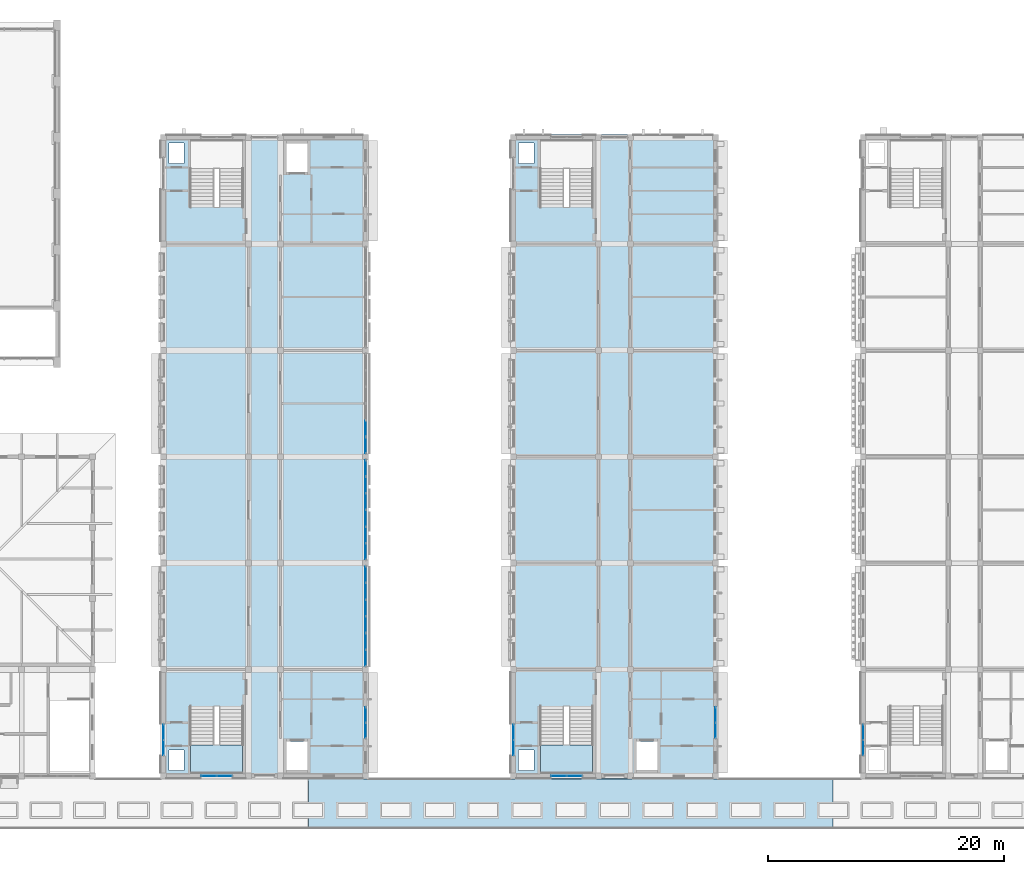
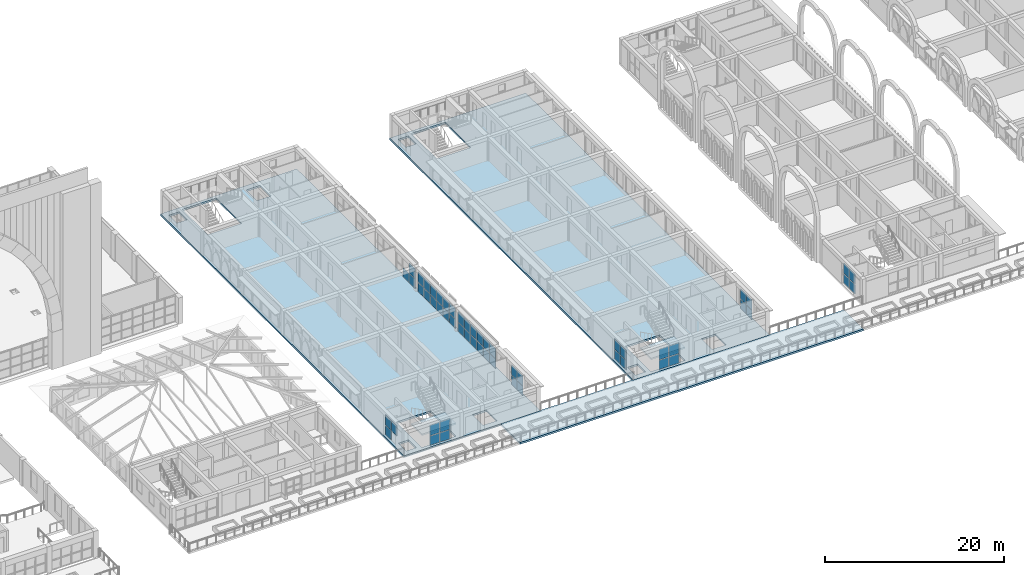
# One storey, part 37 of 82: 54 plates, 5 slabs, 12 elements without a shape of their own.
"""IFC4 building model written with IfcOpenShell, lengths in metres."""

from ifc_helpers import new_model, si_unit, direction, frame, origin, origin_2d, place, context, subcontext, project, spatial, polyline, rectangle, outline, extrude, material, layer, layer_set, type_object, element, aggregate, save


model = new_model("IFC4")

# Units and contexts
model_context = context("Model", 3, precision=1e-05, world=origin(), true_north=direction((0.0, 1.0)))
body_context = subcontext(model_context, "Body", "Model", "MODEL_VIEW")
ifc_project = project(units=[si_unit("LENGTHUNIT", "METRE"), si_unit("AREAUNIT", "SQUARE_METRE"), si_unit("VOLUMEUNIT", "CUBIC_METRE"), si_unit("PLANEANGLEUNIT", "RADIAN"), si_unit("MASSUNIT", "GRAM", prefix="KILO")], contexts=[model_context])

# Site, building, storey
site_placement = place(None, origin())
site = spatial("IfcSite", under=ifc_project, at=site_placement, CompositionType="ELEMENT")
building_placement = place(site_placement, origin())
building = spatial("IfcBuilding", under=site, at=building_placement, Name="Elbe Cascade School", CompositionType="ELEMENT")
storey_placement = place(building_placement, frame((0.0, 0.0, 4.5)))
storey = spatial("IfcBuildingStorey", under=building, at=storey_placement, Name="L01", CompositionType="ELEMENT", Elevation=4.5)

# Stair, slab
ifc_material_1 = material(Name="Concrete C30/37", Category="concrete")
stair_type = type_object("IfcStairType", Name="Bar stair RC 150", PredefinedType="HALF_TURN_STAIR", material=ifc_material_1)
stair_1_placement = place(storey_placement, origin())
stair_1 = element("IfcStair", 1, at=stair_1_placement, inside=storey, type_object=stair_type, Name="Stair A1.S", PredefinedType="HALF_TURN_STAIR")
ifc_material_2 = material(Name="Concrete C30/37", Category="concrete")
ifc_layer_1 = layer(ifc_material_2, 0.199951171875)
ifc_layer_set_1 = layer_set([ifc_layer_1], Name="Concrete C30/37")
slab_type_1 = type_object("IfcSlabType", Name="Bar stair landing RC 200", PredefinedType="LANDING", material=ifc_layer_set_1)
slab_1_placement = place(storey_placement, frame((0.0, 0.0, 1.60009765625)))
slab_1 = element("IfcSlab", 2, at=slab_1_placement, type_object=slab_type_1, Name="ST3 landing 1", PredefinedType="LANDING", context=body_context, shape_type="SweptSolid", body=[
    extrude(outline(polyline([(71.300048828125, 6.179931640625), (75.699951171875, 6.179931640625), (75.699951171875, 8.60009765625), (71.300048828125, 8.60009765625), (71.300048828125, 6.179931640625)])), origin(), (0.0, 0.0, 1.0), 0.199951171875),
])
aggregate(stair_1, [slab_1])

stair_2_placement = place(storey_placement, origin())
stair_2 = element("IfcStair", 3, at=stair_2_placement, inside=storey, type_object=stair_type, Name="Stair B1.S", PredefinedType="HALF_TURN_STAIR")
slab_2_placement = place(storey_placement, frame((0.0, 0.0, 1.60009765625)))
slab_2 = element("IfcSlab", 4, at=slab_2_placement, type_object=slab_type_1, Name="ST3 landing 1", PredefinedType="LANDING", context=body_context, shape_type="SweptSolid", body=[
    extrude(outline(polyline([(100.89990234375, 6.179931640625), (105.300048828125, 6.179931640625), (105.300048828125, 8.60009765625), (100.89990234375, 8.60009765625), (100.89990234375, 6.179931640625)])), origin(), (0.0, 0.0, 1.0), 0.199951171875),
])
aggregate(stair_2, [slab_2])

# Curtain wall, plates
ifc_material_3 = material(Name="Aluminium frame with double glazing, bronze anodised", Category="aluminium")
ifc_layer_2 = layer(ifc_material_3, 0.159912109375)
ifc_layer_set_2 = layer_set([ifc_layer_2], Name="Aluminium frame with double glazing, bronze anodised")
curtain_wall_type_1 = type_object("IfcCurtainWallType", Name="Bars envelope Curtain wall, aluminium, bronze anodised, storey-high slot", PredefinedType="NOTDEFINED", material=ifc_layer_set_2)
curtain_wall_1_placement = place(storey_placement, origin())
curtain_wall_1 = element("IfcCurtainWall", 5, at=curtain_wall_1_placement, inside=storey, type_object=curtain_wall_type_1, Name="Curtain wall CW4 A.L01.w1", PredefinedType="NOTDEFINED")
ifc_material_4 = material(Name="Glass - double glazed low-E", Category="glass")
ifc_layer_3 = layer(ifc_material_4, 0.028076171875)
ifc_layer_set_3 = layer_set([ifc_layer_3], Name="Glass - double glazed low-E")
plate_type_1 = type_object("IfcPlateType", Name="Bars envelope Curtain wall glazing panel 28 mm, double glazed, storey-high slot", PredefinedType="CURTAIN_PANEL", material=ifc_layer_set_3)
plate_1_placement = place(storey_placement, frame((69.0, 8.3798828125, 1.3798828125), z_axis=(0.0, 0.0, 1.0), x_axis=(0.0, 1.0, 0.0)))
plate_1 = element("IfcPlate", 6, at=plate_1_placement, type_object=plate_type_1, Name="CW4 panel 1.2", PredefinedType="CURTAIN_PANEL", context=body_context, shape_type="SweptSolid", body=[
    extrude(rectangle(XDim=1.260009765625, YDim=0.028076171875, at=origin_2d()), origin(), (0.0, 0.0, 1.0), 1.409912109375),
])
plate_2_placement = place(storey_placement, frame((69.0, 9.699951171875, 0.06005859375), z_axis=(0.0, 0.0, 1.0), x_axis=(0.0, 1.0, 0.0)))
plate_2 = element("IfcPlate", 7, at=plate_2_placement, type_object=plate_type_1, Name="CW4 panel 2.1", PredefinedType="CURTAIN_PANEL", context=body_context, shape_type="SweptSolid", body=[
    extrude(rectangle(XDim=1.260009765625, YDim=0.028076171875, at=origin_2d()), origin(), (0.0, 0.0, 1.0), 1.260009765625),
])
plate_3_placement = place(storey_placement, frame((69.0, 9.699951171875, 1.3798828125), z_axis=(0.0, 0.0, 1.0), x_axis=(0.0, 1.0, 0.0)))
plate_3 = element("IfcPlate", 8, at=plate_3_placement, type_object=plate_type_1, Name="CW4 panel 2.2", PredefinedType="CURTAIN_PANEL", context=body_context, shape_type="SweptSolid", body=[
    extrude(rectangle(XDim=1.260009765625, YDim=0.028076171875, at=origin_2d()), origin(), (0.0, 0.0, 1.0), 1.409912109375),
])
aggregate(curtain_wall_1, [plate_1, plate_2, plate_3])

curtain_wall_2_placement = place(storey_placement, origin())
curtain_wall_2 = element("IfcCurtainWall", 9, at=curtain_wall_2_placement, inside=storey, type_object=curtain_wall_type_1, Name="Curtain wall CW4 A.L01.e1", PredefinedType="NOTDEFINED")
plate_4_placement = place(storey_placement, frame((86.10009765625, 11.159912109375, 0.06005859375), z_axis=(0.0, 0.0, 1.0), x_axis=(0.0, -1.0, 0.0)))
plate_4 = element("IfcPlate", 10, at=plate_4_placement, type_object=plate_type_1, Name="CW4 panel 1.1", PredefinedType="CURTAIN_PANEL", context=body_context, shape_type="SweptSolid", body=[
    extrude(rectangle(XDim=1.260009765625, YDim=0.028076171875, at=origin_2d()), origin(), (0.0, 0.0, 1.0), 1.260009765625),
])
plate_5_placement = place(storey_placement, frame((86.10009765625, 11.159912109375, 1.3798828125), z_axis=(0.0, 0.0, 1.0), x_axis=(0.0, -1.0, 0.0)))
plate_5 = element("IfcPlate", 11, at=plate_5_placement, type_object=plate_type_1, Name="CW4 panel 1.2", PredefinedType="CURTAIN_PANEL", context=body_context, shape_type="SweptSolid", body=[
    extrude(rectangle(XDim=1.260009765625, YDim=0.028076171875, at=origin_2d()), origin(), (0.0, 0.0, 1.0), 1.409912109375),
])
plate_6_placement = place(storey_placement, frame((86.10009765625, 9.840087890625, 0.06005859375), z_axis=(0.0, 0.0, 1.0), x_axis=(0.0, -1.0, 0.0)))
plate_6 = element("IfcPlate", 12, at=plate_6_placement, type_object=plate_type_1, Name="CW4 panel 2.1", PredefinedType="CURTAIN_PANEL", context=body_context, shape_type="SweptSolid", body=[
    extrude(rectangle(XDim=1.260009765625, YDim=0.028076171875, at=origin_2d()), origin(), (0.0, 0.0, 1.0), 1.260009765625),
])
plate_7_placement = place(storey_placement, frame((86.10009765625, 9.840087890625, 1.3798828125), z_axis=(0.0, 0.0, 1.0), x_axis=(0.0, -1.0, 0.0)))
plate_7 = element("IfcPlate", 13, at=plate_7_placement, type_object=plate_type_1, Name="CW4 panel 2.2", PredefinedType="CURTAIN_PANEL", context=body_context, shape_type="SweptSolid", body=[
    extrude(rectangle(XDim=1.260009765625, YDim=0.028076171875, at=origin_2d()), origin(), (0.0, 0.0, 1.0), 1.409912109375),
])
aggregate(curtain_wall_2, [plate_4, plate_5, plate_6, plate_7])

curtain_wall_3_placement = place(storey_placement, origin())
curtain_wall_3 = element("IfcCurtainWall", 14, at=curtain_wall_3_placement, inside=storey, type_object=curtain_wall_type_1, Name="Curtain wall CW4 A.L01.s1", PredefinedType="NOTDEFINED")
plate_8_placement = place(storey_placement, frame((74.159912109375, 6.0, 0.06005859375), z_axis=(0.0, 0.0, 1.0), x_axis=(-1.0, 0.0, 0.0)))
plate_8 = element("IfcPlate", 15, at=plate_8_placement, type_object=plate_type_1, Name="CW4 panel 1.1", PredefinedType="CURTAIN_PANEL", context=body_context, shape_type="SweptSolid", body=[
    extrude(rectangle(XDim=1.260009765625, YDim=0.028076171875, at=origin_2d()), origin(), (0.0, 0.0, 1.0), 1.260009765625),
])
plate_9_placement = place(storey_placement, frame((74.159912109375, 6.0, 1.380126953125), z_axis=(0.0, 0.0, 1.0), x_axis=(-1.0, 0.0, 0.0)))
plate_9 = element("IfcPlate", 16, at=plate_9_placement, type_object=plate_type_1, Name="CW4 panel 1.2", PredefinedType="CURTAIN_PANEL", context=body_context, shape_type="SweptSolid", body=[
    extrude(rectangle(XDim=1.260009765625, YDim=0.028076171875, at=origin_2d()), origin(), (0.0, 0.0, 1.0), 1.4599609375),
])
plate_10_placement = place(storey_placement, frame((72.840087890625, 6.0, 0.06005859375), z_axis=(0.0, 0.0, 1.0), x_axis=(-1.0, 0.0, 0.0)))
plate_10 = element("IfcPlate", 17, at=plate_10_placement, type_object=plate_type_1, Name="CW4 panel 2.1", PredefinedType="CURTAIN_PANEL", context=body_context, shape_type="SweptSolid", body=[
    extrude(rectangle(XDim=1.260009765625, YDim=0.028076171875, at=origin_2d()), origin(), (0.0, 0.0, 1.0), 1.260009765625),
])
plate_11_placement = place(storey_placement, frame((72.840087890625, 6.0, 1.380126953125), z_axis=(0.0, 0.0, 1.0), x_axis=(-1.0, 0.0, 0.0)))
plate_11 = element("IfcPlate", 18, at=plate_11_placement, type_object=plate_type_1, Name="CW4 panel 2.2", PredefinedType="CURTAIN_PANEL", context=body_context, shape_type="SweptSolid", body=[
    extrude(rectangle(XDim=1.260009765625, YDim=0.028076171875, at=origin_2d()), origin(), (0.0, 0.0, 1.0), 1.4599609375),
])
aggregate(curtain_wall_3, [plate_8, plate_9, plate_10, plate_11])

curtain_wall_4_placement = place(storey_placement, origin())
curtain_wall_4 = element("IfcCurtainWall", 19, at=curtain_wall_4_placement, inside=storey, type_object=curtain_wall_type_1, Name="Curtain wall CW4 B.L01.w1", PredefinedType="NOTDEFINED")
plate_12_placement = place(storey_placement, frame((98.60009765625, 8.3798828125, 0.06005859375), z_axis=(0.0, 0.0, 1.0), x_axis=(0.0, 1.0, 0.0)))
plate_12 = element("IfcPlate", 20, at=plate_12_placement, type_object=plate_type_1, Name="CW4 panel 1.1", PredefinedType="CURTAIN_PANEL", context=body_context, shape_type="SweptSolid", body=[
    extrude(rectangle(XDim=1.260009765625, YDim=0.028076171875, at=origin_2d()), origin(), (0.0, 0.0, 1.0), 1.260009765625),
])
plate_13_placement = place(storey_placement, frame((98.60009765625, 8.3798828125, 1.3798828125), z_axis=(0.0, 0.0, 1.0), x_axis=(0.0, 1.0, 0.0)))
plate_13 = element("IfcPlate", 21, at=plate_13_placement, type_object=plate_type_1, Name="CW4 panel 1.2", PredefinedType="CURTAIN_PANEL", context=body_context, shape_type="SweptSolid", body=[
    extrude(rectangle(XDim=1.260009765625, YDim=0.028076171875, at=origin_2d()), origin(), (0.0, 0.0, 1.0), 1.409912109375),
])
plate_14_placement = place(storey_placement, frame((98.60009765625, 9.699951171875, 0.06005859375), z_axis=(0.0, 0.0, 1.0), x_axis=(0.0, 1.0, 0.0)))
plate_14 = element("IfcPlate", 22, at=plate_14_placement, type_object=plate_type_1, Name="CW4 panel 2.1", PredefinedType="CURTAIN_PANEL", context=body_context, shape_type="SweptSolid", body=[
    extrude(rectangle(XDim=1.260009765625, YDim=0.028076171875, at=origin_2d()), origin(), (0.0, 0.0, 1.0), 1.260009765625),
])
plate_15_placement = place(storey_placement, frame((98.60009765625, 9.699951171875, 1.3798828125), z_axis=(0.0, 0.0, 1.0), x_axis=(0.0, 1.0, 0.0)))
plate_15 = element("IfcPlate", 23, at=plate_15_placement, type_object=plate_type_1, Name="CW4 panel 2.2", PredefinedType="CURTAIN_PANEL", context=body_context, shape_type="SweptSolid", body=[
    extrude(rectangle(XDim=1.260009765625, YDim=0.028076171875, at=origin_2d()), origin(), (0.0, 0.0, 1.0), 1.409912109375),
])
aggregate(curtain_wall_4, [plate_12, plate_13, plate_14, plate_15])

curtain_wall_5_placement = place(storey_placement, origin())
curtain_wall_5 = element("IfcCurtainWall", 24, at=curtain_wall_5_placement, inside=storey, type_object=curtain_wall_type_1, Name="Curtain wall CW4 B.L01.e1", PredefinedType="NOTDEFINED")
plate_16_placement = place(storey_placement, frame((115.699951171875, 11.159912109375, 0.06005859375), z_axis=(0.0, 0.0, 1.0), x_axis=(0.0, -1.0, 0.0)))
plate_16 = element("IfcPlate", 25, at=plate_16_placement, type_object=plate_type_1, Name="CW4 panel 1.1", PredefinedType="CURTAIN_PANEL", context=body_context, shape_type="SweptSolid", body=[
    extrude(rectangle(XDim=1.260009765625, YDim=0.028076171875, at=origin_2d()), origin(), (0.0, 0.0, 1.0), 1.260009765625),
])
plate_17_placement = place(storey_placement, frame((115.699951171875, 11.159912109375, 1.3798828125), z_axis=(0.0, 0.0, 1.0), x_axis=(0.0, -1.0, 0.0)))
plate_17 = element("IfcPlate", 26, at=plate_17_placement, type_object=plate_type_1, Name="CW4 panel 1.2", PredefinedType="CURTAIN_PANEL", context=body_context, shape_type="SweptSolid", body=[
    extrude(rectangle(XDim=1.260009765625, YDim=0.028076171875, at=origin_2d()), origin(), (0.0, 0.0, 1.0), 1.409912109375),
])
plate_18_placement = place(storey_placement, frame((115.699951171875, 9.840087890625, 0.06005859375), z_axis=(0.0, 0.0, 1.0), x_axis=(0.0, -1.0, 0.0)))
plate_18 = element("IfcPlate", 27, at=plate_18_placement, type_object=plate_type_1, Name="CW4 panel 2.1", PredefinedType="CURTAIN_PANEL", context=body_context, shape_type="SweptSolid", body=[
    extrude(rectangle(XDim=1.260009765625, YDim=0.028076171875, at=origin_2d()), origin(), (0.0, 0.0, 1.0), 1.260009765625),
])
plate_19_placement = place(storey_placement, frame((115.699951171875, 9.840087890625, 1.3798828125), z_axis=(0.0, 0.0, 1.0), x_axis=(0.0, -1.0, 0.0)))
plate_19 = element("IfcPlate", 28, at=plate_19_placement, type_object=plate_type_1, Name="CW4 panel 2.2", PredefinedType="CURTAIN_PANEL", context=body_context, shape_type="SweptSolid", body=[
    extrude(rectangle(XDim=1.260009765625, YDim=0.028076171875, at=origin_2d()), origin(), (0.0, 0.0, 1.0), 1.409912109375),
])
aggregate(curtain_wall_5, [plate_16, plate_17, plate_18, plate_19])

curtain_wall_6_placement = place(storey_placement, origin())
curtain_wall_6 = element("IfcCurtainWall", 29, at=curtain_wall_6_placement, inside=storey, type_object=curtain_wall_type_1, Name="Curtain wall CW4 B.L01.s1", PredefinedType="NOTDEFINED")
plate_20_placement = place(storey_placement, frame((103.760009765625, 6.0, 0.06005859375), z_axis=(0.0, 0.0, 1.0), x_axis=(-1.0, 0.0, 0.0)))
plate_20 = element("IfcPlate", 30, at=plate_20_placement, type_object=plate_type_1, Name="CW4 panel 1.1", PredefinedType="CURTAIN_PANEL", context=body_context, shape_type="SweptSolid", body=[
    extrude(rectangle(XDim=1.260009765625, YDim=0.028076171875, at=origin_2d()), origin(), (0.0, 0.0, 1.0), 1.260009765625),
])
plate_21_placement = place(storey_placement, frame((103.760009765625, 6.0, 1.380126953125), z_axis=(0.0, 0.0, 1.0), x_axis=(-1.0, 0.0, 0.0)))
plate_21 = element("IfcPlate", 31, at=plate_21_placement, type_object=plate_type_1, Name="CW4 panel 1.2", PredefinedType="CURTAIN_PANEL", context=body_context, shape_type="SweptSolid", body=[
    extrude(rectangle(XDim=1.260009765625, YDim=0.028076171875, at=origin_2d()), origin(), (0.0, 0.0, 1.0), 1.4599609375),
])
plate_22_placement = place(storey_placement, frame((102.43994140625, 6.0, 0.06005859375), z_axis=(0.0, 0.0, 1.0), x_axis=(-1.0, 0.0, 0.0)))
plate_22 = element("IfcPlate", 32, at=plate_22_placement, type_object=plate_type_1, Name="CW4 panel 2.1", PredefinedType="CURTAIN_PANEL", context=body_context, shape_type="SweptSolid", body=[
    extrude(rectangle(XDim=1.260009765625, YDim=0.028076171875, at=origin_2d()), origin(), (0.0, 0.0, 1.0), 1.260009765625),
])
plate_23_placement = place(storey_placement, frame((102.43994140625, 6.0, 1.380126953125), z_axis=(0.0, 0.0, 1.0), x_axis=(-1.0, 0.0, 0.0)))
plate_23 = element("IfcPlate", 33, at=plate_23_placement, type_object=plate_type_1, Name="CW4 panel 2.2", PredefinedType="CURTAIN_PANEL", context=body_context, shape_type="SweptSolid", body=[
    extrude(rectangle(XDim=1.260009765625, YDim=0.028076171875, at=origin_2d()), origin(), (0.0, 0.0, 1.0), 1.4599609375),
])
aggregate(curtain_wall_6, [plate_20, plate_21, plate_22, plate_23])

curtain_wall_7_placement = place(storey_placement, origin())
curtain_wall_7 = element("IfcCurtainWall", 34, at=curtain_wall_7_placement, inside=storey, type_object=curtain_wall_type_1, Name="Curtain wall CW4 C.L01.w1", PredefinedType="NOTDEFINED")
plate_24_placement = place(storey_placement, frame((128.199951171875, 8.3798828125, 0.06005859375), z_axis=(0.0, 0.0, 1.0), x_axis=(0.0, 1.0, 0.0)))
plate_24 = element("IfcPlate", 35, at=plate_24_placement, type_object=plate_type_1, Name="CW4 panel 1.1", PredefinedType="CURTAIN_PANEL", context=body_context, shape_type="SweptSolid", body=[
    extrude(rectangle(XDim=1.260009765625, YDim=0.028076171875, at=origin_2d()), origin(), (0.0, 0.0, 1.0), 1.260009765625),
])
plate_25_placement = place(storey_placement, frame((128.199951171875, 8.3798828125, 1.3798828125), z_axis=(0.0, 0.0, 1.0), x_axis=(0.0, 1.0, 0.0)))
plate_25 = element("IfcPlate", 36, at=plate_25_placement, type_object=plate_type_1, Name="CW4 panel 1.2", PredefinedType="CURTAIN_PANEL", context=body_context, shape_type="SweptSolid", body=[
    extrude(rectangle(XDim=1.260009765625, YDim=0.028076171875, at=origin_2d()), origin(), (0.0, 0.0, 1.0), 1.409912109375),
])
plate_26_placement = place(storey_placement, frame((128.199951171875, 9.699951171875, 0.06005859375), z_axis=(0.0, 0.0, 1.0), x_axis=(0.0, 1.0, 0.0)))
plate_26 = element("IfcPlate", 37, at=plate_26_placement, type_object=plate_type_1, Name="CW4 panel 2.1", PredefinedType="CURTAIN_PANEL", context=body_context, shape_type="SweptSolid", body=[
    extrude(rectangle(XDim=1.260009765625, YDim=0.028076171875, at=origin_2d()), origin(), (0.0, 0.0, 1.0), 1.260009765625),
])
plate_27_placement = place(storey_placement, frame((128.199951171875, 9.699951171875, 1.3798828125), z_axis=(0.0, 0.0, 1.0), x_axis=(0.0, 1.0, 0.0)))
plate_27 = element("IfcPlate", 38, at=plate_27_placement, type_object=plate_type_1, Name="CW4 panel 2.2", PredefinedType="CURTAIN_PANEL", context=body_context, shape_type="SweptSolid", body=[
    extrude(rectangle(XDim=1.260009765625, YDim=0.028076171875, at=origin_2d()), origin(), (0.0, 0.0, 1.0), 1.409912109375),
])
aggregate(curtain_wall_7, [plate_24, plate_25, plate_26, plate_27])

ifc_material_5 = material(Name="Aluminium frame with double glazing, bronze anodised", Category="aluminium")
ifc_layer_4 = layer(ifc_material_5, 0.179931640625)
ifc_layer_set_4 = layer_set([ifc_layer_4], Name="Aluminium frame with double glazing, bronze anodised")
curtain_wall_type_2 = type_object("IfcCurtainWallType", Name="Bars envelope Curtain wall, aluminium, bronze anodised, wide run", PredefinedType="NOTDEFINED", material=ifc_layer_set_4)
curtain_wall_8_placement = place(storey_placement, origin())
curtain_wall_8 = element("IfcCurtainWall", 39, at=curtain_wall_8_placement, inside=storey, type_object=curtain_wall_type_2, Name="Curtain wall CW5 A.L01.e2", PredefinedType="NOTDEFINED")
ifc_material_6 = material(Name="Glass - double glazed low-E", Category="glass")
ifc_layer_5 = layer(ifc_material_6, 0.031982421875)
ifc_layer_set_5 = layer_set([ifc_layer_5], Name="Glass - double glazed low-E")
plate_type_2 = type_object("IfcPlateType", Name="Bars envelope Curtain wall glazing panel 32 mm, double glazed, wide run", PredefinedType="CURTAIN_PANEL", material=ifc_layer_set_5)
plate_28_placement = place(storey_placement, frame((86.10009765625, 23.026611328125, 0.06005859375), z_axis=(0.0, 0.0, 1.0), x_axis=(0.0, -1.0, 0.0)))
plate_28 = element("IfcPlate", 40, at=plate_28_placement, type_object=plate_type_2, Name="CW5 panel 1.1", PredefinedType="CURTAIN_PANEL", context=body_context, shape_type="SweptSolid", body=[
    extrude(rectangle(XDim=1.32666015625, YDim=0.031982421875, at=origin_2d()), origin(), (0.0, 0.0, 1.0), 1.260009765625),
])
plate_29_placement = place(storey_placement, frame((86.10009765625, 23.026611328125, 1.3798828125), z_axis=(0.0, 0.0, 1.0), x_axis=(0.0, -1.0, 0.0)))
plate_29 = element("IfcPlate", 41, at=plate_29_placement, type_object=plate_type_2, Name="CW5 panel 1.2", PredefinedType="CURTAIN_PANEL", context=body_context, shape_type="SweptSolid", body=[
    extrude(rectangle(XDim=1.32666015625, YDim=0.031982421875, at=origin_2d()), origin(), (0.0, 0.0, 1.0), 1.409912109375),
])
plate_30_placement = place(storey_placement, frame((86.10009765625, 21.625, 0.06005859375), z_axis=(0.0, 0.0, 1.0), x_axis=(0.0, -1.0, 0.0)))
plate_30 = element("IfcPlate", 42, at=plate_30_placement, type_object=plate_type_2, Name="CW5 panel 2.1", PredefinedType="CURTAIN_PANEL", context=body_context, shape_type="SweptSolid", body=[
    extrude(rectangle(XDim=1.356689453125, YDim=0.031982421875, at=origin_2d()), origin(), (0.0, 0.0, 1.0), 1.260009765625),
])
plate_31_placement = place(storey_placement, frame((86.10009765625, 21.625, 1.3798828125), z_axis=(0.0, 0.0, 1.0), x_axis=(0.0, -1.0, 0.0)))
plate_31 = element("IfcPlate", 43, at=plate_31_placement, type_object=plate_type_2, Name="CW5 panel 2.2", PredefinedType="CURTAIN_PANEL", context=body_context, shape_type="SweptSolid", body=[
    extrude(rectangle(XDim=1.356689453125, YDim=0.031982421875, at=origin_2d()), origin(), (0.0, 0.0, 1.0), 1.409912109375),
])
plate_32_placement = place(storey_placement, frame((86.10009765625, 20.208251953125, 0.06005859375), z_axis=(0.0, 0.0, 1.0), x_axis=(0.0, -1.0, 0.0)))
plate_32 = element("IfcPlate", 44, at=plate_32_placement, type_object=plate_type_2, Name="CW5 panel 3.1", PredefinedType="CURTAIN_PANEL", context=body_context, shape_type="SweptSolid", body=[
    extrude(rectangle(XDim=1.356689453125, YDim=0.031982421875, at=origin_2d()), origin(), (0.0, 0.0, 1.0), 1.260009765625),
])
plate_33_placement = place(storey_placement, frame((86.10009765625, 20.208251953125, 1.3798828125), z_axis=(0.0, 0.0, 1.0), x_axis=(0.0, -1.0, 0.0)))
plate_33 = element("IfcPlate", 45, at=plate_33_placement, type_object=plate_type_2, Name="CW5 panel 3.2", PredefinedType="CURTAIN_PANEL", context=body_context, shape_type="SweptSolid", body=[
    extrude(rectangle(XDim=1.356689453125, YDim=0.031982421875, at=origin_2d()), origin(), (0.0, 0.0, 1.0), 1.409912109375),
])
plate_34_placement = place(storey_placement, frame((86.10009765625, 18.791748046875, 0.06005859375), z_axis=(0.0, 0.0, 1.0), x_axis=(0.0, -1.0, 0.0)))
plate_34 = element("IfcPlate", 46, at=plate_34_placement, type_object=plate_type_2, Name="CW5 panel 4.1", PredefinedType="CURTAIN_PANEL", context=body_context, shape_type="SweptSolid", body=[
    extrude(rectangle(XDim=1.356689453125, YDim=0.031982421875, at=origin_2d()), origin(), (0.0, 0.0, 1.0), 1.260009765625),
])
plate_35_placement = place(storey_placement, frame((86.10009765625, 18.791748046875, 1.3798828125), z_axis=(0.0, 0.0, 1.0), x_axis=(0.0, -1.0, 0.0)))
plate_35 = element("IfcPlate", 47, at=plate_35_placement, type_object=plate_type_2, Name="CW5 panel 4.2", PredefinedType="CURTAIN_PANEL", context=body_context, shape_type="SweptSolid", body=[
    extrude(rectangle(XDim=1.356689453125, YDim=0.031982421875, at=origin_2d()), origin(), (0.0, 0.0, 1.0), 1.409912109375),
])
plate_36_placement = place(storey_placement, frame((86.10009765625, 17.375, 0.06005859375), z_axis=(0.0, 0.0, 1.0), x_axis=(0.0, -1.0, 0.0)))
plate_36 = element("IfcPlate", 48, at=plate_36_placement, type_object=plate_type_2, Name="CW5 panel 5.1", PredefinedType="CURTAIN_PANEL", context=body_context, shape_type="SweptSolid", body=[
    extrude(rectangle(XDim=1.356689453125, YDim=0.031982421875, at=origin_2d()), origin(), (0.0, 0.0, 1.0), 1.260009765625),
])
plate_37_placement = place(storey_placement, frame((86.10009765625, 17.375, 1.3798828125), z_axis=(0.0, 0.0, 1.0), x_axis=(0.0, -1.0, 0.0)))
plate_37 = element("IfcPlate", 49, at=plate_37_placement, type_object=plate_type_2, Name="CW5 panel 5.2", PredefinedType="CURTAIN_PANEL", context=body_context, shape_type="SweptSolid", body=[
    extrude(rectangle(XDim=1.356689453125, YDim=0.031982421875, at=origin_2d()), origin(), (0.0, 0.0, 1.0), 1.409912109375),
])
plate_38_placement = place(storey_placement, frame((86.10009765625, 15.973388671875, 0.06005859375), z_axis=(0.0, 0.0, 1.0), x_axis=(0.0, -1.0, 0.0)))
plate_38 = element("IfcPlate", 50, at=plate_38_placement, type_object=plate_type_2, Name="CW5 panel 6.1", PredefinedType="CURTAIN_PANEL", context=body_context, shape_type="SweptSolid", body=[
    extrude(rectangle(XDim=1.32666015625, YDim=0.031982421875, at=origin_2d()), origin(), (0.0, 0.0, 1.0), 1.260009765625),
])
plate_39_placement = place(storey_placement, frame((86.10009765625, 15.973388671875, 1.3798828125), z_axis=(0.0, 0.0, 1.0), x_axis=(0.0, -1.0, 0.0)))
plate_39 = element("IfcPlate", 51, at=plate_39_placement, type_object=plate_type_2, Name="CW5 panel 6.2", PredefinedType="CURTAIN_PANEL", context=body_context, shape_type="SweptSolid", body=[
    extrude(rectangle(XDim=1.32666015625, YDim=0.031982421875, at=origin_2d()), origin(), (0.0, 0.0, 1.0), 1.409912109375),
])
aggregate(curtain_wall_8, [plate_28, plate_29, plate_30, plate_31, plate_32, plate_33, plate_34, plate_35, plate_36, plate_37, plate_38, plate_39])

curtain_wall_9_placement = place(storey_placement, origin())
curtain_wall_9 = element("IfcCurtainWall", 52, at=curtain_wall_9_placement, inside=storey, type_object=curtain_wall_type_2, Name="Curtain wall CW5 A.L01.e3", PredefinedType="NOTDEFINED")
plate_40_placement = place(storey_placement, frame((86.10009765625, 32.026611328125, 0.06005859375), z_axis=(0.0, 0.0, 1.0), x_axis=(0.0, -1.0, 0.0)))
plate_40 = element("IfcPlate", 53, at=plate_40_placement, type_object=plate_type_2, Name="CW5 panel 1.1", PredefinedType="CURTAIN_PANEL", context=body_context, shape_type="SweptSolid", body=[
    extrude(rectangle(XDim=1.32666015625, YDim=0.031982421875, at=origin_2d()), origin(), (0.0, 0.0, 1.0), 1.260009765625),
])
plate_41_placement = place(storey_placement, frame((86.10009765625, 32.026611328125, 1.3798828125), z_axis=(0.0, 0.0, 1.0), x_axis=(0.0, -1.0, 0.0)))
plate_41 = element("IfcPlate", 54, at=plate_41_placement, type_object=plate_type_2, Name="CW5 panel 1.2", PredefinedType="CURTAIN_PANEL", context=body_context, shape_type="SweptSolid", body=[
    extrude(rectangle(XDim=1.32666015625, YDim=0.031982421875, at=origin_2d()), origin(), (0.0, 0.0, 1.0), 1.409912109375),
])
plate_42_placement = place(storey_placement, frame((86.10009765625, 30.625, 0.06005859375), z_axis=(0.0, 0.0, 1.0), x_axis=(0.0, -1.0, 0.0)))
plate_42 = element("IfcPlate", 55, at=plate_42_placement, type_object=plate_type_2, Name="CW5 panel 2.1", PredefinedType="CURTAIN_PANEL", context=body_context, shape_type="SweptSolid", body=[
    extrude(rectangle(XDim=1.356689453125, YDim=0.031982421875, at=origin_2d()), origin(), (0.0, 0.0, 1.0), 1.260009765625),
])
plate_43_placement = place(storey_placement, frame((86.10009765625, 30.625, 1.3798828125), z_axis=(0.0, 0.0, 1.0), x_axis=(0.0, -1.0, 0.0)))
plate_43 = element("IfcPlate", 56, at=plate_43_placement, type_object=plate_type_2, Name="CW5 panel 2.2", PredefinedType="CURTAIN_PANEL", context=body_context, shape_type="SweptSolid", body=[
    extrude(rectangle(XDim=1.356689453125, YDim=0.031982421875, at=origin_2d()), origin(), (0.0, 0.0, 1.0), 1.409912109375),
])
plate_44_placement = place(storey_placement, frame((86.10009765625, 29.208251953125, 0.06005859375), z_axis=(0.0, 0.0, 1.0), x_axis=(0.0, -1.0, 0.0)))
plate_44 = element("IfcPlate", 57, at=plate_44_placement, type_object=plate_type_2, Name="CW5 panel 3.1", PredefinedType="CURTAIN_PANEL", context=body_context, shape_type="SweptSolid", body=[
    extrude(rectangle(XDim=1.356689453125, YDim=0.031982421875, at=origin_2d()), origin(), (0.0, 0.0, 1.0), 1.260009765625),
])
plate_45_placement = place(storey_placement, frame((86.10009765625, 29.208251953125, 1.3798828125), z_axis=(0.0, 0.0, 1.0), x_axis=(0.0, -1.0, 0.0)))
plate_45 = element("IfcPlate", 58, at=plate_45_placement, type_object=plate_type_2, Name="CW5 panel 3.2", PredefinedType="CURTAIN_PANEL", context=body_context, shape_type="SweptSolid", body=[
    extrude(rectangle(XDim=1.356689453125, YDim=0.031982421875, at=origin_2d()), origin(), (0.0, 0.0, 1.0), 1.409912109375),
])
plate_46_placement = place(storey_placement, frame((86.10009765625, 27.791748046875, 0.06005859375), z_axis=(0.0, 0.0, 1.0), x_axis=(0.0, -1.0, 0.0)))
plate_46 = element("IfcPlate", 59, at=plate_46_placement, type_object=plate_type_2, Name="CW5 panel 4.1", PredefinedType="CURTAIN_PANEL", context=body_context, shape_type="SweptSolid", body=[
    extrude(rectangle(XDim=1.356689453125, YDim=0.031982421875, at=origin_2d()), origin(), (0.0, 0.0, 1.0), 1.260009765625),
])
plate_47_placement = place(storey_placement, frame((86.10009765625, 27.791748046875, 1.3798828125), z_axis=(0.0, 0.0, 1.0), x_axis=(0.0, -1.0, 0.0)))
plate_47 = element("IfcPlate", 60, at=plate_47_placement, type_object=plate_type_2, Name="CW5 panel 4.2", PredefinedType="CURTAIN_PANEL", context=body_context, shape_type="SweptSolid", body=[
    extrude(rectangle(XDim=1.356689453125, YDim=0.031982421875, at=origin_2d()), origin(), (0.0, 0.0, 1.0), 1.409912109375),
])
plate_48_placement = place(storey_placement, frame((86.10009765625, 26.375, 0.06005859375), z_axis=(0.0, 0.0, 1.0), x_axis=(0.0, -1.0, 0.0)))
plate_48 = element("IfcPlate", 61, at=plate_48_placement, type_object=plate_type_2, Name="CW5 panel 5.1", PredefinedType="CURTAIN_PANEL", context=body_context, shape_type="SweptSolid", body=[
    extrude(rectangle(XDim=1.356689453125, YDim=0.031982421875, at=origin_2d()), origin(), (0.0, 0.0, 1.0), 1.260009765625),
])
plate_49_placement = place(storey_placement, frame((86.10009765625, 26.375, 1.3798828125), z_axis=(0.0, 0.0, 1.0), x_axis=(0.0, -1.0, 0.0)))
plate_49 = element("IfcPlate", 62, at=plate_49_placement, type_object=plate_type_2, Name="CW5 panel 5.2", PredefinedType="CURTAIN_PANEL", context=body_context, shape_type="SweptSolid", body=[
    extrude(rectangle(XDim=1.356689453125, YDim=0.031982421875, at=origin_2d()), origin(), (0.0, 0.0, 1.0), 1.409912109375),
])
plate_50_placement = place(storey_placement, frame((86.10009765625, 24.973388671875, 0.06005859375), z_axis=(0.0, 0.0, 1.0), x_axis=(0.0, -1.0, 0.0)))
plate_50 = element("IfcPlate", 63, at=plate_50_placement, type_object=plate_type_2, Name="CW5 panel 6.1", PredefinedType="CURTAIN_PANEL", context=body_context, shape_type="SweptSolid", body=[
    extrude(rectangle(XDim=1.32666015625, YDim=0.031982421875, at=origin_2d()), origin(), (0.0, 0.0, 1.0), 1.260009765625),
])
plate_51_placement = place(storey_placement, frame((86.10009765625, 24.973388671875, 1.3798828125), z_axis=(0.0, 0.0, 1.0), x_axis=(0.0, -1.0, 0.0)))
plate_51 = element("IfcPlate", 64, at=plate_51_placement, type_object=plate_type_2, Name="CW5 panel 6.2", PredefinedType="CURTAIN_PANEL", context=body_context, shape_type="SweptSolid", body=[
    extrude(rectangle(XDim=1.32666015625, YDim=0.031982421875, at=origin_2d()), origin(), (0.0, 0.0, 1.0), 1.409912109375),
])
aggregate(curtain_wall_9, [plate_40, plate_41, plate_42, plate_43, plate_44, plate_45, plate_46, plate_47, plate_48, plate_49, plate_50, plate_51])

curtain_wall_10_placement = place(storey_placement, origin())
curtain_wall_10 = element("IfcCurtainWall", 65, at=curtain_wall_10_placement, inside=storey, type_object=curtain_wall_type_2, Name="Curtain wall CW5 A.L01.e4", PredefinedType="NOTDEFINED")
plate_52_placement = place(storey_placement, frame((86.10009765625, 35.375, 0.06005859375), z_axis=(0.0, 0.0, 1.0), x_axis=(0.0, -1.0, 0.0)))
plate_52 = element("IfcPlate", 66, at=plate_52_placement, type_object=plate_type_2, Name="CW5 panel 5.1", PredefinedType="CURTAIN_PANEL", context=body_context, shape_type="SweptSolid", body=[
    extrude(rectangle(XDim=1.356689453125, YDim=0.031982421875, at=origin_2d()), origin(), (0.0, 0.0, 1.0), 1.260009765625),
])
plate_53_placement = place(storey_placement, frame((86.10009765625, 33.973388671875, 0.06005859375), z_axis=(0.0, 0.0, 1.0), x_axis=(0.0, -1.0, 0.0)))
plate_53 = element("IfcPlate", 67, at=plate_53_placement, type_object=plate_type_2, Name="CW5 panel 6.1", PredefinedType="CURTAIN_PANEL", context=body_context, shape_type="SweptSolid", body=[
    extrude(rectangle(XDim=1.32666015625, YDim=0.031982421875, at=origin_2d()), origin(), (0.0, 0.0, 1.0), 1.260009765625),
])
plate_54_placement = place(storey_placement, frame((86.10009765625, 33.973388671875, 1.3798828125), z_axis=(0.0, 0.0, 1.0), x_axis=(0.0, -1.0, 0.0)))
plate_54 = element("IfcPlate", 68, at=plate_54_placement, type_object=plate_type_2, Name="CW5 panel 6.2", PredefinedType="CURTAIN_PANEL", context=body_context, shape_type="SweptSolid", body=[
    extrude(rectangle(XDim=1.32666015625, YDim=0.031982421875, at=origin_2d()), origin(), (0.0, 0.0, 1.0), 1.409912109375),
])
aggregate(curtain_wall_10, [plate_52, plate_53, plate_54])

# Slabs
ifc_material_7 = material(Name="Concrete C35/45", Category="concrete")
ifc_layer_6 = layer(ifc_material_7, 0.25)
ifc_layer_set_6 = layer_set([ifc_layer_6], Name="Concrete C35/45")
slab_type_2 = type_object("IfcSlabType", Name="Colonnade roof slab 250", PredefinedType="ROOF", material=ifc_layer_set_6)
slab_3_placement = place(storey_placement, frame((0.0, 0.0, -0.25)))
element("IfcSlab", 69, at=slab_3_placement, inside=storey, type_object=slab_type_2, Name="Colonnade roof slab 2.2", PredefinedType="ROOF", context=body_context, shape_type="SweptSolid", body=[
    extrude(outline(polyline([(125.639892578125, 1.5), (125.639892578125, 5.820068359375), (115.949951171875, 5.820068359375), (115.949951171875, 5.75), (98.35009765625, 5.75), (98.35009765625, 5.820068359375), (86.35009765625, 5.820068359375), (86.35009765625, 5.75), (81.260009765625, 5.75), (81.260009765625, 1.5), (125.639892578125, 1.5)])), origin(), (0.0, 0.0, 1.0), 0.25),
])
ifc_material_8 = material(Name="Concrete C30/37", Category="concrete")
ifc_layer_7 = layer(ifc_material_8, 0.25)
ifc_layer_set_7 = layer_set([ifc_layer_7], Name="Concrete C30/37")
slab_type_3 = type_object("IfcSlabType", Name="Floor slab 250", PredefinedType="FLOOR", material=ifc_layer_set_7)
slab_4_placement = place(storey_placement, frame((0.0, 0.0, -0.25)))
element("IfcSlab", 70, at=slab_4_placement, inside=storey, type_object=slab_type_3, Name="Floor slab 250 S2", PredefinedType="FLOOR", context=body_context, shape_type="SweptSolid", body=[
    extrude(outline(polyline([(68.75, 5.75), (86.35009765625, 5.75), (86.35009765625, 60.25), (68.75, 60.25), (68.75, 5.75)]), holes=[polyline([(71.300048828125, 6.179931640625), (75.699951171875, 6.179931640625), (75.699951171875, 11.8798828125), (71.300048828125, 11.8798828125), (71.300048828125, 6.179931640625)]), polyline([(79.39990234375, 6.5), (81.199951171875, 6.5), (81.199951171875, 8.89990234375), (79.39990234375, 8.89990234375), (79.39990234375, 6.5)]), polyline([(71.300048828125, 54.1201171875), (75.699951171875, 54.1201171875), (75.699951171875, 59.820068359375), (71.300048828125, 59.820068359375), (71.300048828125, 54.1201171875)]), polyline([(79.39990234375, 57.10009765625), (81.199951171875, 57.10009765625), (81.199951171875, 59.5), (79.39990234375, 59.5), (79.39990234375, 57.10009765625)]), polyline([(69.449951171875, 6.449951171875), (70.75, 6.449951171875), (70.75, 8.199951171875), (69.449951171875, 8.199951171875), (69.449951171875, 6.449951171875)]), polyline([(69.449951171875, 57.800048828125), (70.75, 57.800048828125), (70.75, 59.550048828125), (69.449951171875, 59.550048828125), (69.449951171875, 57.800048828125)])]), origin(), (0.0, 0.0, 1.0), 0.25),
])
slab_5_placement = place(storey_placement, frame((0.0, 0.0, -0.25)))
element("IfcSlab", 71, at=slab_5_placement, inside=storey, type_object=slab_type_3, Name="Floor slab 250 S2", PredefinedType="FLOOR", context=body_context, shape_type="SweptSolid", body=[
    extrude(outline(polyline([(98.35009765625, 5.75), (115.949951171875, 5.75), (115.949951171875, 60.25), (98.35009765625, 60.25), (98.35009765625, 5.75)]), holes=[polyline([(100.89990234375, 6.179931640625), (105.300048828125, 6.179931640625), (105.300048828125, 11.8798828125), (100.89990234375, 11.8798828125), (100.89990234375, 6.179931640625)]), polyline([(109.0, 6.5), (110.800048828125, 6.5), (110.800048828125, 8.89990234375), (109.0, 8.89990234375), (109.0, 6.5)]), polyline([(100.89990234375, 54.1201171875), (105.300048828125, 54.1201171875), (105.300048828125, 59.820068359375), (100.89990234375, 59.820068359375), (100.89990234375, 54.1201171875)]), polyline([(99.050048828125, 6.449951171875), (100.35009765625, 6.449951171875), (100.35009765625, 8.199951171875), (99.050048828125, 8.199951171875), (99.050048828125, 6.449951171875)]), polyline([(99.050048828125, 57.800048828125), (100.35009765625, 57.800048828125), (100.35009765625, 59.550048828125), (99.050048828125, 59.550048828125), (99.050048828125, 57.800048828125)])]), origin(), (0.0, 0.0, 1.0), 0.25),
])

save(model, "model.ifc")
